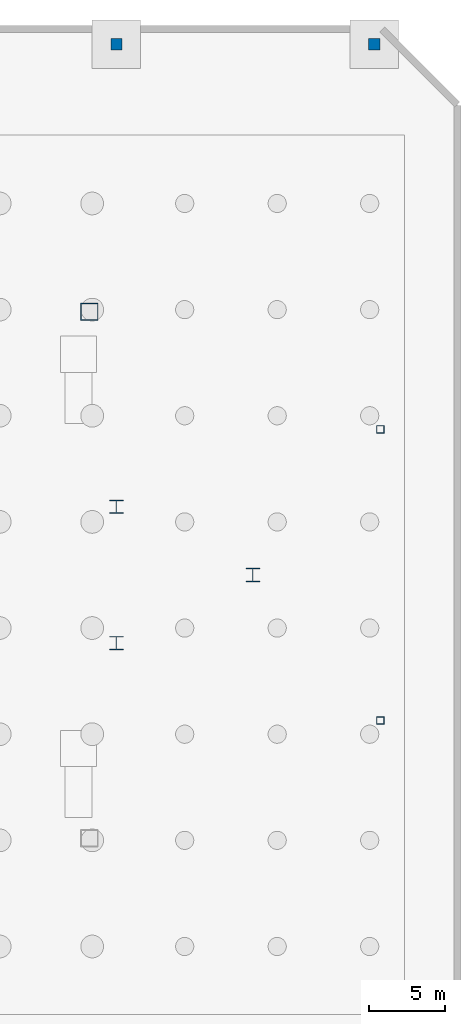
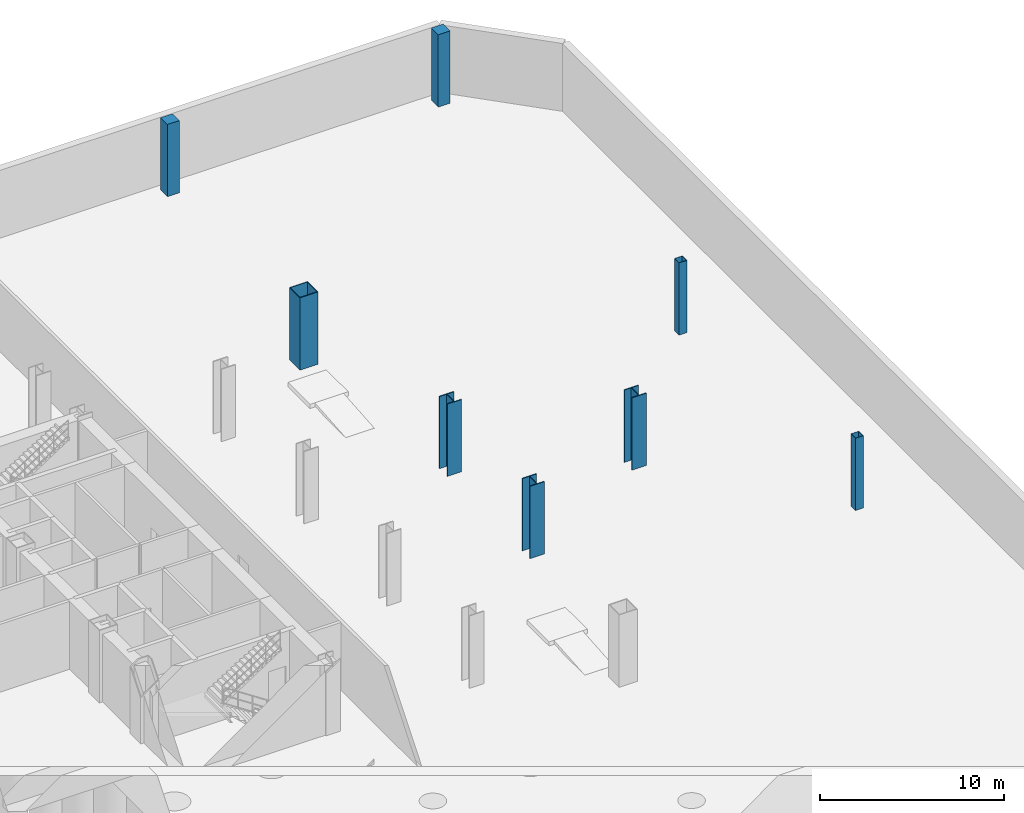
# One storey, part 8 of 18: 8 columns.
"""IFC4 building model written with IfcOpenShell, lengths in metres."""

import ifcopenshell
import ifcopenshell.guid

model = None  # the IFC model being written
_history = None  # IfcOwnerHistory: only IFC2X3 demands one
_inside = {}  # id of a spatial element -> (the spatial element, [elements in it])
_under = {}  # id of a project, library or spatial element -> (it, [spatial elements below it])
_declared = {}  # id of a project -> (the project, [libraries it declares])
_typed = {}  # id of a type object -> (the type object, [elements of that type])
_made_of = {}  # id of a material, layer set ... -> (it, [elements and type objects made of it])


def new_model(schema):
    """Start an empty IFC model of exactly this schema.

    Asked for "IFC4X3", IfcOpenShell would pick the latest addendum, in which some entities
    have other attributes; the version numbers below select the first issue.
    IFC2X3 requires an IfcOwnerHistory on every rooted entity: one is made here for all.
    """
    global model, _history
    if schema == "IFC4X3":
        model = ifcopenshell.file(schema_version=(4, 3, 0, 0))
    else:
        model = ifcopenshell.file(schema=schema)
    _inside.clear()
    _under.clear()
    _declared.clear()
    _typed.clear()
    _made_of.clear()
    _history = None
    if model.schema == "IFC2X3":
        org = make("IfcOrganization", Name="unknown")
        user = make(
            "IfcPersonAndOrganization",
            ThePerson=make("IfcPerson", FamilyName="unknown"),
            TheOrganization=org,
        )
        app = make(
            "IfcApplication",
            ApplicationDeveloper=org,
            Version="unknown",
            ApplicationFullName="unknown",
            ApplicationIdentifier="unknown",
        )
        _history = make(
            "IfcOwnerHistory",
            OwningUser=user,
            OwningApplication=app,
            ChangeAction="ADDED",
            CreationDate=0,
        )
    return model


def make(cls, **values):
    """One entity of the class cls with the attributes given. An attribute that is None is left unset."""
    return model.create_entity(
        cls, **{name: value for name, value in values.items() if value is not None}
    )


def rooted(cls, **values):
    """An entity with a GlobalId (a new one), such as an element, a storey or a relation."""
    return make(cls, GlobalId=ifcopenshell.guid.new(), OwnerHistory=_history, **values)


def si_unit(unit_type, name, prefix=None):
    """IfcSIUnit, for example si_unit("LENGTHUNIT", "METRE", prefix="MILLI")."""
    return make("IfcSIUnit", UnitType=unit_type, Prefix=prefix, Name=name)


def assignment(units):
    """IfcUnitAssignment: the units of a project."""
    return None if units is None else make("IfcUnitAssignment", Units=units)


def point(xyz):
    """IfcCartesianPoint."""
    return None if xyz is None else make("IfcCartesianPoint", Coordinates=xyz)


def direction(xyz):
    """IfcDirection."""
    return None if xyz is None else make("IfcDirection", DirectionRatios=xyz)


def frame(location, z_axis=None, x_axis=None):
    """IfcAxis2Placement3D, a coordinate frame: its origin and axes. An axis left out is left unset."""
    return make(
        "IfcAxis2Placement3D",
        Location=point(location),
        Axis=direction(z_axis),
        RefDirection=direction(x_axis),
    )


def frame_2d(location, x_axis=None):
    """IfcAxis2Placement2D, a coordinate frame in the plane: its origin and x axis."""
    return make(
        "IfcAxis2Placement2D", Location=point(location), RefDirection=direction(x_axis)
    )


def origin():
    """The frame at (0, 0, 0) with its axes left unset."""
    return frame((0.0, 0.0, 0.0))


def origin_2d():
    """The frame at (0, 0) in the plane with its x axis left unset."""
    return frame_2d((0.0, 0.0))


def place(relative_to, where):
    """IfcLocalPlacement: puts the frame where relative to a parent placement (None: the world)."""
    return make(
        "IfcLocalPlacement", PlacementRelTo=relative_to, RelativePlacement=where
    )


def context(
    kind, dimensions, precision=None, world=None, true_north=None, identifier=None
):
    """IfcGeometricRepresentationContext, for example the 3D "Model" context."""
    return make(
        "IfcGeometricRepresentationContext",
        ContextIdentifier=identifier,
        ContextType=kind,
        CoordinateSpaceDimension=dimensions,
        Precision=precision,
        WorldCoordinateSystem=world,
        TrueNorth=true_north,
    )


def subcontext(parent, identifier, kind, view, scale=None):
    """IfcGeometricRepresentationSubContext, for example "Body" below "Model"."""
    return make(
        "IfcGeometricRepresentationSubContext",
        ContextIdentifier=identifier,
        ContextType=kind,
        ParentContext=parent,
        TargetScale=scale,
        TargetView=view,
    )


def project(units=None, contexts=None):
    """IfcProject with its units and contexts."""
    return rooted(
        "IfcProject",
        Name="project",
        RepresentationContexts=contexts,
        UnitsInContext=assignment(units),
    )


def spatial(cls, under=None, at=None, **own):
    """A site, building, storey or space (cls), placed at a placement, below another one or the project."""
    s = rooted(cls, ObjectPlacement=at, **own)
    if under is not None:
        _under.setdefault(under.id(), (under, []))[1].append(s)
    return s


def profile(cls, at=None, kind="AREA", **sizes):
    """A parametric profile (cls). Its sizes go by their IFC names, for example OverallWidth=200.0."""
    return make(cls, ProfileType=kind, Position=at, **sizes)


def rectangle(**sizes):
    """IfcRectangleProfileDef."""
    return profile("IfcRectangleProfileDef", **sizes)


def hollow_rectangle(**sizes):
    """IfcRectangleHollowProfileDef."""
    return profile("IfcRectangleHollowProfileDef", **sizes)


def i_section(**sizes):
    """IfcIShapeProfileDef."""
    return profile("IfcIShapeProfileDef", **sizes)


def extrude(swept, where, along, depth):
    """IfcExtrudedAreaSolid: the profile swept, set in the frame where, extruded along a direction by depth."""
    return make(
        "IfcExtrudedAreaSolid",
        SweptArea=swept,
        Position=where,
        ExtrudedDirection=direction(along),
        Depth=depth,
    )


def shape(context_of_items, identifier, shape_type, items):
    """IfcShapeRepresentation: the items that make up one representation, for example the "Body"."""
    return make(
        "IfcShapeRepresentation",
        ContextOfItems=context_of_items,
        RepresentationIdentifier=identifier,
        RepresentationType=shape_type,
        Items=items,
    )


def source(mapping_origin, context_of_items, identifier, shape_type, items):
    """IfcRepresentationMap: a shape defined once, which mapped items show again and again."""
    return make(
        "IfcRepresentationMap",
        MappingOrigin=mapping_origin,
        MappedRepresentation=shape(context_of_items, identifier, shape_type, items),
    )


def transform(
    local_origin,
    x_axis=None,
    y_axis=None,
    z_axis=None,
    scale=None,
    scale2=None,
    scale3=None,
    uniform=True,
):
    """IfcCartesianTransformationOperator3D, or its non-uniform kind. x_axis, y_axis, z_axis: its Axis1, 2, 3."""
    if uniform:
        return make(
            "IfcCartesianTransformationOperator3D",
            Axis1=direction(x_axis),
            Axis2=direction(y_axis),
            LocalOrigin=point(local_origin),
            Scale=scale,
            Axis3=direction(z_axis),
        )
    return make(
        "IfcCartesianTransformationOperator3DnonUniform",
        Axis1=direction(x_axis),
        Axis2=direction(y_axis),
        LocalOrigin=point(local_origin),
        Scale=scale,
        Axis3=direction(z_axis),
        Scale2=scale2,
        Scale3=scale3,
    )


def mapped(mapping_source, mapping_target):
    """IfcMappedItem: shows the shape of a source again, moved by a transform."""
    return make(
        "IfcMappedItem", MappingSource=mapping_source, MappingTarget=mapping_target
    )


def material(Name=None, Category=None):
    """IfcMaterial."""
    return make("IfcMaterial", Name=Name, Category=Category)


def material_profile(
    of_material, cross_section, Name=None, Category=None, Priority=None
):
    """IfcMaterialProfile: a cross section and its material."""
    return make(
        "IfcMaterialProfile",
        Name=Name,
        Material=of_material,
        Profile=cross_section,
        Priority=Priority,
        Category=Category,
    )


def profile_set(profiles, Name=None, composite=None):
    """IfcMaterialProfileSet."""
    return make(
        "IfcMaterialProfileSet",
        Name=Name,
        MaterialProfiles=profiles,
        CompositeProfile=composite,
    )


def made_of(thing, what):
    """Note that an element or type object is made of a material, layer set ...; save() writes the relation."""
    if what is not None:
        _made_of.setdefault(what.id(), (what, []))[1].append(thing)
    return thing


def type_object(cls, material=None, **own):
    """A type object (cls), such as IfcWallType, which elements share."""
    return made_of(rooted(cls, **own), material)


def type_shapes(of_type, sources):
    """Give a type object the sources (RepresentationMaps) that its elements show as mapped items."""
    of_type.RepresentationMaps = sources


def element(
    cls,
    number,
    at=None,
    inside=None,
    cuts=None,
    type_object=None,
    material=None,
    context=None,
    identifier="Body",
    shape_type=None,
    held_by="IfcProductDefinitionShape",
    body=None,
    shapes=None,
    **own,
):
    """One element of the class cls, such as IfcWall. Its Tag is "e" and its number.

    at: its placement. inside: the storey or other place that contains it. cuts: it is an
    opening in that element (IfcRelVoidsElement). A single representation is given by context,
    identifier, shape_type and body (its items); several are given by shapes. held_by: the class
    of the entity that holds the representations. save() writes the other relations.
    """
    e = rooted(cls, Tag="e%d" % number, ObjectPlacement=at, **own)
    if body is not None:
        shapes = [shape(context, identifier, shape_type, body)]
    if shapes is not None:
        e.Representation = make(held_by, Representations=shapes)
    if inside is not None:
        _inside.setdefault(inside.id(), (inside, []))[1].append(e)
    if cuts is not None:
        rooted(
            "IfcRelVoidsElement", RelatingBuildingElement=cuts, RelatedOpeningElement=e
        )
    if type_object is not None:
        _typed.setdefault(type_object.id(), (type_object, []))[1].append(e)
    return made_of(e, material)


def aggregate(whole, parts):
    """IfcRelAggregates: a whole, such as a stair, and the parts it consists of."""
    return rooted("IfcRelAggregates", RelatingObject=whole, RelatedObjects=parts)


def save(model, path):
    """Write the relations noted so far, then the file.

    IfcRelAggregates (storeys below a building ...), IfcRelContainedInSpatialStructure (elements
    in a storey), IfcRelDefinesByType, IfcRelAssociatesMaterial and IfcRelDeclares: one each for
    every whole, place, type object, material and project.
    """
    for whole, parts in _under.values():
        aggregate(whole, parts)
    for where, things in _inside.values():
        rooted(
            "IfcRelContainedInSpatialStructure",
            RelatedElements=things,
            RelatingStructure=where,
        )
    for kind, things in _typed.values():
        rooted("IfcRelDefinesByType", RelatedObjects=things, RelatingType=kind)
    for what, things in _made_of.values():
        rooted("IfcRelAssociatesMaterial", RelatedObjects=things, RelatingMaterial=what)
    for by, libraries in _declared.values():
        rooted("IfcRelDeclares", RelatingContext=by, RelatedDefinitions=libraries)
    model.write(path)


model = new_model("IFC4")

# Units and contexts
model_context = context("Model", 3, precision=1e-05, world=origin(), true_north=direction((0.0, 1.0)))
body_context = subcontext(model_context, "Body", "Model", "MODEL_VIEW")
ifc_project = project(units=[si_unit("LENGTHUNIT", "METRE"), si_unit("AREAUNIT", "SQUARE_METRE"), si_unit("VOLUMEUNIT", "CUBIC_METRE"), si_unit("PLANEANGLEUNIT", "RADIAN"), si_unit("MASSUNIT", "GRAM", prefix="KILO")], contexts=[model_context])

# Site, building, storey
site_placement = place(None, origin())
site = spatial("IfcSite", under=ifc_project, at=site_placement, CompositionType="ELEMENT")
building_placement = place(site_placement, origin())
building = spatial("IfcBuilding", under=site, at=building_placement, Name="Seokmaru Belvedere", CompositionType="ELEMENT")
storey_placement = place(building_placement, frame((0.0, 0.0, -9.60009765625)))
storey = spatial("IfcBuildingStorey", under=building, at=storey_placement, Name="B2", CompositionType="ELEMENT", Elevation=-9.60009765625)

# Columns
ifc_material_1 = material(Name="Steel HSA650 (650 MPa)", Category="steel")
ifc_material_profile_1 = material_profile(ifc_material_1, hollow_rectangle(XDim=1.14990234375, YDim=1.14990234375, WallThickness=0.048095703125, at=origin_2d()), Name="BOX-1150x1150x48")
ifc_profile_set_1 = profile_set([ifc_material_profile_1], Name="Steel HSA650 (650 MPa)")
column_type_1 = type_object("IfcColumnType", Name="Portal Spine Column BOX-1150", PredefinedType="COLUMN", material=ifc_profile_set_1)
shared_shape_1 = source(origin(), body_context, "Body", "SweptSolid", [
    extrude(hollow_rectangle(XDim=1.14990234375, YDim=1.14990234375, WallThickness=0.048095703125, at=origin_2d()), origin(), (0.0, 0.0, 1.0), 4.800048828125),
])
type_shapes(column_type_1, [shared_shape_1])
column_placement = place(storey_placement, frame((52.715576171875, 17.360595703125, 0.0), z_axis=(0.0, 0.0, 1.0), x_axis=(1.0, 0.0, 0.0)))
element("IfcColumn", 1, at=column_placement, inside=storey, type_object=column_type_1, Name="B2 Column EFLK_N2", PredefinedType="COLUMN", context=body_context, shape_type="MappedRepresentation", body=[
    mapped(shared_shape_1, transform((0.0, 0.0, 0.0), scale=1.0)),
])
ifc_material_profile_2 = material_profile(ifc_material_1, i_section(OverallWidth=0.89990234375, OverallDepth=0.89990234375, WebThickness=0.035888671875, FlangeThickness=0.054931640625, at=origin_2d()), Name="H-900x900x36x55")
ifc_profile_set_2 = profile_set([ifc_material_profile_2], Name="Steel HSA650 (650 MPa)")
column_type_2 = type_object("IfcColumnType", Name="Lower Interior Column H-900", PredefinedType="COLUMN", material=ifc_profile_set_2)
shared_shape_2 = source(origin(), body_context, "Body", "SweptSolid", [
    extrude(i_section(OverallWidth=0.89990234375, OverallDepth=0.89990234375, WebThickness=0.035888671875, FlangeThickness=0.054931640625, at=origin_2d()), origin(), (0.0, 0.0, 1.0), 4.800048828125),
])
type_shapes(column_type_2, [shared_shape_2])
for number, where, z_axis, x_axis, name in (
    (2, (54.5, -4.5, 0.0), (0.0, 0.0, 1.0), (1.0, 0.0, 0.0), "B2 Column EG4P_1"),
    (3, (54.5, 4.5, 0.0), (0.0, 0.0, 1.0), (1.0, 0.0, 0.0), "B2 Column EG4P_2"),
    (4, (63.5, 0.0, 0.0), (0.0, 0.0, 1.0), (1.0, 0.0, 0.0), "B2 Column EG3P_1"),
):
    element("IfcColumn", number, at=place(storey_placement, frame(where, z_axis=z_axis, x_axis=x_axis)), inside=storey, type_object=column_type_2, Name=name, PredefinedType="COLUMN", context=body_context, shape_type="MappedRepresentation", body=[
        mapped(shared_shape_2, transform((0.0, 0.0, 0.0), scale=1.0)),
    ])
ifc_material_2 = material(Name="Steel SM355 (355 MPa)", Category="steel")
ifc_material_profile_3 = material_profile(ifc_material_2, hollow_rectangle(XDim=0.5, YDim=0.5, WallThickness=0.02001953125, at=origin_2d()), Name="HSS-500x500x20")
ifc_profile_set_3 = profile_set([ifc_material_profile_3], Name="Steel SM355 (355 MPa)")
column_type_3 = type_object("IfcColumnType", Name="Perimeter Facet Column HSS-500", PredefinedType="COLUMN", material=ifc_profile_set_3)
shared_shape_3 = source(origin(), body_context, "Body", "SweptSolid", [
    extrude(hollow_rectangle(XDim=0.5, YDim=0.5, WallThickness=0.02001953125, at=origin_2d()), origin(), (0.0, 0.0, 1.0), 4.800048828125),
])
type_shapes(column_type_3, [shared_shape_3])
for number, where, z_axis, x_axis, name in (
    (5, (71.89990234375, -9.595703125, 0.0), (0.0, 0.0, 1.0), (1.0, 0.0, 0.0), "B2 Column EF2"),
    (6, (71.89990234375, 9.595703125, 0.0), (0.0, 0.0, 1.0), (1.0, 0.0, 0.0), "B2 Column EF3"),
):
    element("IfcColumn", number, at=place(storey_placement, frame(where, z_axis=z_axis, x_axis=x_axis)), inside=storey, type_object=column_type_3, Name=name, PredefinedType="COLUMN", context=body_context, shape_type="MappedRepresentation", body=[
        mapped(shared_shape_3, transform((0.0, 0.0, 0.0), scale=1.0)),
    ])
ifc_material_3 = material(Name="Concrete C50 (50 MPa)", Category="concrete")
ifc_material_profile_4 = material_profile(ifc_material_3, rectangle(XDim=0.75, YDim=0.75, at=origin_2d()), Name="RC-750x750")
ifc_profile_set_4 = profile_set([ifc_material_profile_4], Name="Concrete C50 (50 MPa)")
column_type_4 = type_object("IfcColumnType", Name="Plaza Substructure Pier Column RC-750", PredefinedType="COLUMN", material=ifc_profile_set_4)
shared_shape_4 = source(origin(), body_context, "Body", "SweptSolid", [
    extrude(rectangle(XDim=0.75, YDim=0.75, at=origin_2d()), origin(), (0.0, 0.0, 1.0), 4.800048828125),
])
type_shapes(column_type_4, [shared_shape_4])
for number, where, z_axis, x_axis, name in (
    (7, (54.5, 35.0, 0.0), (0.0, 0.0, 1.0), (1.0, 0.0, 0.0), "B2 Column PLZ_N11"),
    (8, (71.5, 35.0, 0.0), (0.0, 0.0, 1.0), (1.0, 0.0, 0.0), "B2 Column PLZ_N12"),
):
    element("IfcColumn", number, at=place(storey_placement, frame(where, z_axis=z_axis, x_axis=x_axis)), inside=storey, type_object=column_type_4, Name=name, PredefinedType="COLUMN", context=body_context, shape_type="MappedRepresentation", body=[
        mapped(shared_shape_4, transform((0.0, 0.0, 0.0), scale=1.0)),
    ])

save(model, "model.ifc")
